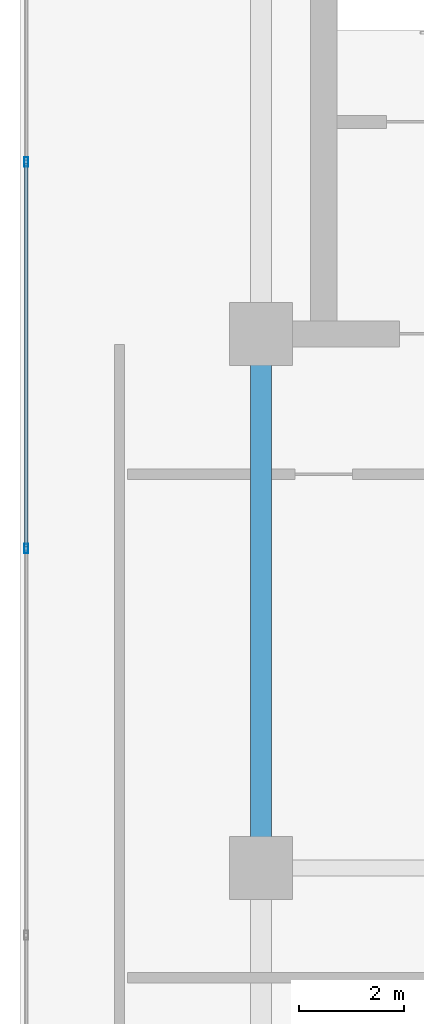
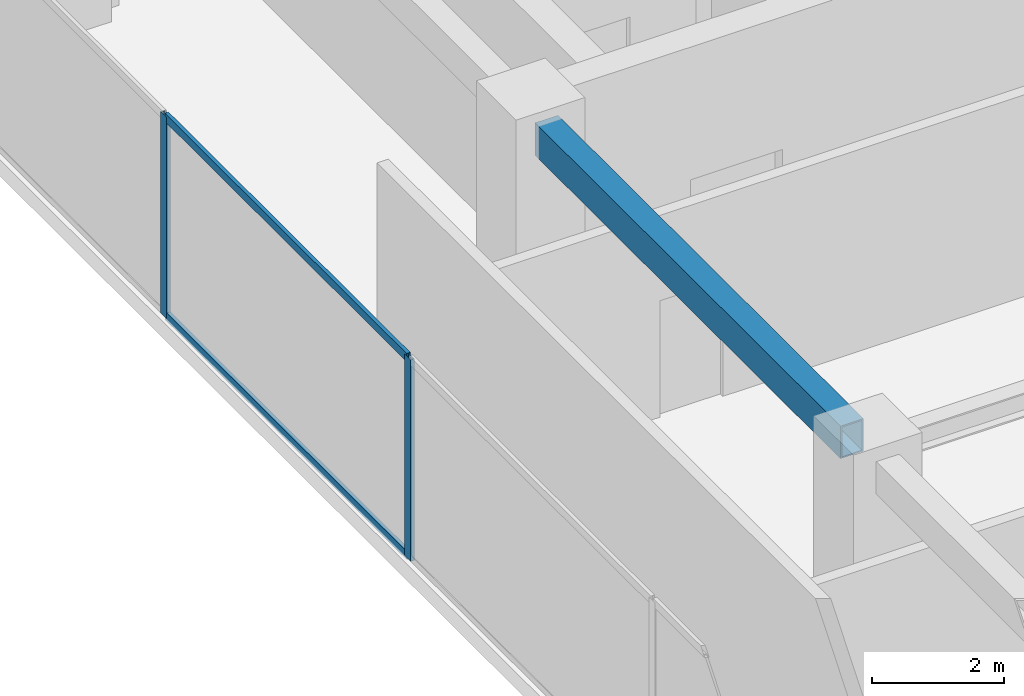
# One storey, part 7 of 19: 4 members, 1 beam, 1 element without a shape of its own.
"""IFC4 building model written with IfcOpenShell, lengths in metres."""

from ifc_helpers import new_model, si_unit, direction, frame, origin, origin_2d, place, context, subcontext, project, spatial, hollow_rectangle, extrude, source, transform, mapped, material, layer, layer_set, material_profile, profile_set, type_object, element, aggregate, save


model = new_model("IFC4")

# Units and contexts
model_context = context("Model", 3, precision=1e-05, world=origin(), true_north=direction((0.0, 1.0)))
body_context = subcontext(model_context, "Body", "Model", "MODEL_VIEW")
ifc_project = project(units=[si_unit("LENGTHUNIT", "METRE"), si_unit("AREAUNIT", "SQUARE_METRE"), si_unit("VOLUMEUNIT", "CUBIC_METRE"), si_unit("PLANEANGLEUNIT", "RADIAN"), si_unit("MASSUNIT", "GRAM", prefix="KILO")], contexts=[model_context])

# Site, building, storey
site_placement = place(None, origin())
site = spatial("IfcSite", under=ifc_project, at=site_placement, CompositionType="ELEMENT")
building_placement = place(site_placement, origin())
building = spatial("IfcBuilding", under=site, at=building_placement, Name="Sumidabori Civic Tower", CompositionType="ELEMENT")
storey_placement = place(building_placement, frame((0.0, 0.0, 293.60009765625)))
storey = spatial("IfcBuildingStorey", under=building, at=storey_placement, Name="L77", CompositionType="ELEMENT", Elevation=293.60009765625)

# Beam
ifc_material_1 = material(Name="Steel SN490", Category="steel")
ifc_material_profile_1 = material_profile(ifc_material_1, hollow_rectangle(XDim=0.39990234375, YDim=0.60009765625, WallThickness=0.02490234375, at=origin_2d()), Name="RHS 600x400x25")
ifc_profile_set_1 = profile_set([ifc_material_profile_1], Name="Steel SN490")
beam_type = type_object("IfcBeamType", Name="BM-CRN-RING", PredefinedType="BEAM", material=ifc_profile_set_1)
shared_shape_1 = source(origin(), body_context, "Body", "SweptSolid", [
    extrude(hollow_rectangle(XDim=0.39990234375, YDim=0.60009765625, WallThickness=0.02490234375, at=origin_2d()), origin(), (0.0, 0.0, 1.0), 9.239990234375),
])
beam_placement = place(storey_placement, frame((-16.800048828125, 0.47998046875, 4.039794921875), z_axis=(0.0, 1.0, 0.0), x_axis=(-1.0, 0.0, 0.0)))
element("IfcBeam", 1, at=beam_placement, inside=storey, type_object=beam_type, Name="Crown Base Ring Beam BR-1-09", PredefinedType="BEAM", context=body_context, shape_type="MappedRepresentation", body=[
    mapped(shared_shape_1, transform((0.0, 0.0, 0.0), x_axis=(1.0, 0.0, 0.0), y_axis=(0.0, 1.0, 0.0), z_axis=(0.0, 0.0, 1.0), scale=1.0)),
])

# Curtain wall, members
ifc_material_2 = material(Name="Anodised Bronze Aluminium AW-6063-T6", Category="aluminium")
ifc_layer = layer(ifc_material_2, 0.179931640625, Name="Anodised Bronze Aluminium AW-6063-T6")
ifc_layer_set = layer_set([ifc_layer], Name="Anodised Bronze Aluminium AW-6063-T6")
curtain_wall_type = type_object("IfcCurtainWallType", Name="CW-SYS-6", PredefinedType="NOTDEFINED", material=ifc_layer_set)
curtain_wall_placement = place(storey_placement, origin())
curtain_wall = element("IfcCurtainWall", 2, at=curtain_wall_placement, inside=storey, type_object=curtain_wall_type, Name="Curtain Wall CW:L77:R10", PredefinedType="NOTDEFINED")
ifc_material_profile_2 = material_profile(ifc_material_2, hollow_rectangle(XDim=0.06494140625, YDim=0.14990234375, WallThickness=0.0048828125, at=origin_2d()), Name="ALU TRANSOM 150x65")
ifc_profile_set_2 = profile_set([ifc_material_profile_2], Name="Anodised Bronze Aluminium AW-6063-T6")
member_type_1 = type_object("IfcMemberType", Name="CW-TRN-150", PredefinedType="USERDEFINED", material=ifc_profile_set_2)
shared_shape_2 = source(origin(), body_context, "Body", "SweptSolid", [
    extrude(hollow_rectangle(XDim=0.06494140625, YDim=0.14990234375, WallThickness=0.0048828125, at=origin_2d()), origin(), (0.0, 0.0, 1.0), 7.31494140625),
])
member_1_placement = place(storey_placement, frame((-21.280029296875, 13.449951171875, 0.032470703125), z_axis=(0.0, -1.0, 0.0), x_axis=(1.0, 0.0, 0.0)))
member_1 = element("IfcMember", 3, at=member_1_placement, type_object=member_type_1, Name="CW-6 transom 2.1", ObjectType="TRANSOM", PredefinedType="USERDEFINED", context=body_context, shape_type="MappedRepresentation", body=[
    mapped(shared_shape_2, transform((0.0, 0.0, 0.0), x_axis=(1.0, 0.0, 0.0), y_axis=(0.0, 1.0, 0.0), z_axis=(0.0, 0.0, 1.0), scale=1.0)),
])
member_2_placement = place(storey_placement, frame((-21.280029296875, 13.449951171875, 3.6875), z_axis=(0.0, -1.0, 0.0), x_axis=(1.0, 0.0, 0.0)))
member_2 = element("IfcMember", 4, at=member_2_placement, type_object=member_type_1, Name="CW-6 transom 2.2", ObjectType="TRANSOM", PredefinedType="USERDEFINED", context=body_context, shape_type="MappedRepresentation", body=[
    mapped(shared_shape_2, transform((0.0, 0.0, 0.0), x_axis=(1.0, 0.0, 0.0), y_axis=(0.0, 1.0, 0.0), z_axis=(0.0, 0.0, 1.0), scale=1.0)),
])
ifc_material_profile_3 = material_profile(ifc_material_2, hollow_rectangle(XDim=0.070068359375, YDim=0.179931640625, WallThickness=0.006103515625, at=origin_2d()), Name="ALU MULLION 180x70")
ifc_profile_set_3 = profile_set([ifc_material_profile_3], Name="Anodised Bronze Aluminium AW-6063-T6")
member_type_2 = type_object("IfcMemberType", Name="CW-MUL-180", PredefinedType="MULLION", material=ifc_profile_set_3)
shared_shape_3 = source(origin(), body_context, "Body", "SweptSolid", [
    extrude(hollow_rectangle(XDim=0.070068359375, YDim=0.179931640625, WallThickness=0.006103515625, at=origin_2d()), origin(), (0.0, 0.0, 1.0), 3.719970703125),
])
member_3_placement = place(storey_placement, frame((-21.280029296875, 13.485107421875, 0.0), z_axis=(0.0, 0.0, 1.0), x_axis=(1.0, 0.0, 0.0)))
member_3 = element("IfcMember", 5, at=member_3_placement, type_object=member_type_2, Name="CW-6 mullion 2", PredefinedType="MULLION", context=body_context, shape_type="MappedRepresentation", body=[
    mapped(shared_shape_3, transform((0.0, 0.0, 0.0), x_axis=(1.0, 0.0, 0.0), y_axis=(0.0, 1.0, 0.0), z_axis=(0.0, 0.0, 1.0), scale=1.0)),
])
member_4_placement = place(storey_placement, frame((-21.280029296875, 6.10009765625, 0.0), z_axis=(0.0, 0.0, 1.0), x_axis=(1.0, 0.0, 0.0)))
member_4 = element("IfcMember", 6, at=member_4_placement, type_object=member_type_2, Name="CW-6 mullion 3", PredefinedType="MULLION", context=body_context, shape_type="MappedRepresentation", body=[
    mapped(shared_shape_3, transform((0.0, 0.0, 0.0), x_axis=(1.0, 0.0, 0.0), y_axis=(0.0, 1.0, 0.0), z_axis=(0.0, 0.0, 1.0), scale=1.0)),
])
aggregate(curtain_wall, [member_3, member_4, member_1, member_2])

save(model, "model.ifc")
